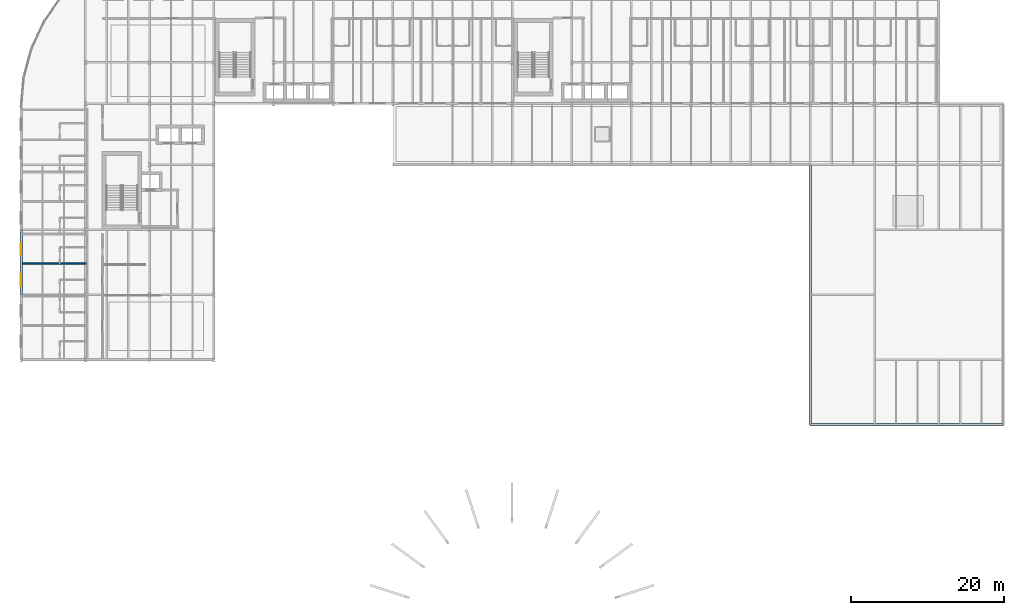
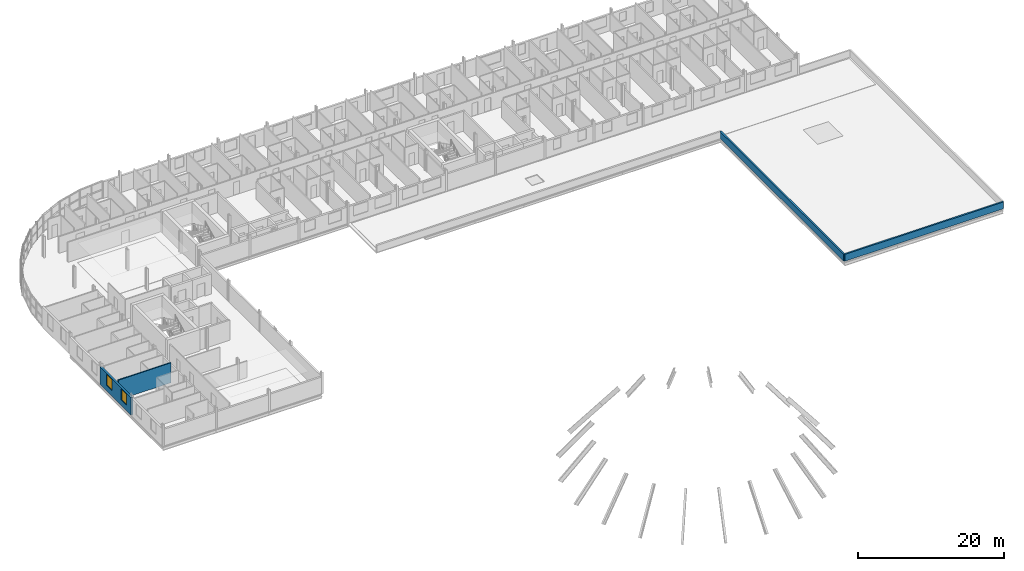
# One storey, part 20 of 36: 4 walls, 2 windows, 2 openings.
"""IFC4 building model written with IfcOpenShell, lengths in metres."""

from ifc_helpers import new_model, si_unit, direction, frame, frame_2d, origin, place, context, subcontext, project, spatial, rectangle, extrude, material, layer, layer_set, type_object, element, fill, save


model = new_model("IFC4")

# Units and contexts
model_context = context("Model", 3, precision=1e-05, world=origin(), true_north=direction((0.0, 1.0)))
body_context = subcontext(model_context, "Body", "Model", "MODEL_VIEW")
ifc_project = project(units=[si_unit("LENGTHUNIT", "METRE"), si_unit("AREAUNIT", "SQUARE_METRE"), si_unit("VOLUMEUNIT", "CUBIC_METRE"), si_unit("PLANEANGLEUNIT", "RADIAN"), si_unit("MASSUNIT", "GRAM", prefix="KILO")], contexts=[model_context])

# Site, building, storey
site_placement = place(None, origin())
site = spatial("IfcSite", under=ifc_project, at=site_placement, CompositionType="ELEMENT")
building_placement = place(site_placement, origin())
building = spatial("IfcBuilding", under=site, at=building_placement, Name="Sefraquen Railside Congress Hotel", CompositionType="ELEMENT")
storey_placement = place(building_placement, frame((0.0, 0.0, 24.60009765625)))
storey = spatial("IfcBuildingStorey", under=building, at=storey_placement, Name="L05", CompositionType="ELEMENT", Elevation=24.60009765625)

# Wall, openings, windows
ifc_material_1 = material(Name="Ochre Rabat calcarenite limestone and Concrete C40/50 backing", Category="masonry")
ifc_layer_1 = layer(ifc_material_1, 0.300048828125)
ifc_layer_set_1 = layer_set([ifc_layer_1], Name="Ochre Rabat calcarenite limestone and Concrete C40/50 backing")
wall_type_1 = type_object("IfcWallType", Name="TW-EW-300", PredefinedType="STANDARD", material=ifc_layer_set_1)
wall_1_placement = place(storey_placement, frame((0.0, 71.0, 0.0), z_axis=(0.0, 0.0, 1.0), x_axis=(0.0, 1.0, 0.0)))
wall_1 = element("IfcWall", 1, at=wall_1_placement, inside=storey, type_object=wall_type_1, Name="Hotel L05 West Forecourt facade wall", PredefinedType="STANDARD", context=body_context, shape_type="SweptSolid", body=[
    extrude(rectangle(XDim=8.5, YDim=0.300048828125, at=frame_2d((4.25, 0.0))), origin(), (0.0, 0.0, 1.0), 2.929931640625),
])
opening_1_placement = place(wall_1_placement, frame((1.20703125, 0.0, 0.89990234375)))
opening_1 = element("IfcOpeningElement", 2, at=opening_1_placement, cuts=wall_1, Name="Opening WN-13", PredefinedType="OPENING", context=body_context, shape_type="SweptSolid", body=[
    extrude(rectangle(XDim=1.5, YDim=1.85009765625, at=frame_2d((0.75, 0.925048828125))), frame((0.0, 0.159912109375, 0.0), z_axis=(0.0, -1.0, 0.0), x_axis=(1.0, 0.0, 0.0)), (0.0, 0.0, 1.0), 0.320068359375),
])
opening_2_placement = place(wall_1_placement, frame((5.256103515625, 0.0, 0.89990234375)))
opening_2 = element("IfcOpeningElement", 3, at=opening_2_placement, cuts=wall_1, Name="Opening WN-14", PredefinedType="OPENING", context=body_context, shape_type="SweptSolid", body=[
    extrude(rectangle(XDim=1.5, YDim=1.85009765625, at=frame_2d((0.75, 0.925048828125))), frame((0.0, 0.159912109375, 0.0), z_axis=(0.0, -1.0, 0.0), x_axis=(1.0, 0.0, 0.0)), (0.0, 0.0, 1.0), 0.320068359375),
])
ifc_material_2 = material(Name="Solar-control low-E double glazing in bronze-anodised frame", Category="glass")
window_type_1 = type_object("IfcWindowType", Name="TWN-W-13", PartitioningType="DOUBLE_PANEL_VERTICAL", PredefinedType="WINDOW", material=ifc_material_2)
window_1_placement = place(opening_1_placement, origin())
window_1 = element("IfcWindow", 4, at=window_1_placement, inside=storey, type_object=window_type_1, Name="Guest room west window SP-L05-RM-042", OverallHeight=1.85009765625, OverallWidth=1.5, PartitioningType="DOUBLE_PANEL_VERTICAL", PredefinedType="WINDOW", context=body_context, shape_type="SweptSolid", body=[
    extrude(rectangle(XDim=1.5, YDim=1.85009765625, at=frame_2d((0.75, 0.925048828125))), frame((0.0, 0.030029296875, 0.0), z_axis=(0.0, -1.0, 0.0), x_axis=(1.0, 0.0, 0.0)), (0.0, 0.0, 1.0), 0.06005859375),
])
fill(opening_1, window_1)
window_type_2 = type_object("IfcWindowType", Name="TWN-W-14", PartitioningType="DOUBLE_PANEL_VERTICAL", PredefinedType="WINDOW", material=ifc_material_2)
window_2_placement = place(opening_2_placement, origin())
window_2 = element("IfcWindow", 5, at=window_2_placement, inside=storey, type_object=window_type_2, Name="Guest room west window SP-L05-RM-043", OverallHeight=1.85009765625, OverallWidth=1.5, PartitioningType="DOUBLE_PANEL_VERTICAL", PredefinedType="WINDOW", context=body_context, shape_type="SweptSolid", body=[
    extrude(rectangle(XDim=1.5, YDim=1.85009765625, at=frame_2d((0.75, 0.925048828125))), frame((0.0, 0.030029296875, 0.0), z_axis=(0.0, -1.0, 0.0), x_axis=(1.0, 0.0, 0.0)), (0.0, 0.0, 1.0), 0.06005859375),
])
fill(opening_2, window_2)

# Walls
ifc_material_3 = material(Name="Precast concrete C40/50", Category="concrete")
ifc_layer_2 = layer(ifc_material_3, 0.25)
ifc_layer_set_2 = layer_set([ifc_layer_2], Name="Precast concrete C40/50")
wall_type_2 = type_object("IfcWallType", Name="TW-PA-250", PredefinedType="PARAPET", material=ifc_layer_set_2)
wall_2_placement = place(storey_placement, frame((103.199951171875, 88.0, 0.0), z_axis=(0.0, 0.0, 1.0), x_axis=(0.0, -1.0, 0.0)))
element("IfcWall", 6, at=wall_2_placement, inside=storey, type_object=wall_type_2, Name="Meeting Wing L05 roof parapet 02", PredefinedType="PARAPET", context=body_context, shape_type="SweptSolid", body=[
    extrude(rectangle(XDim=34.0, YDim=0.25, at=frame_2d((17.0, 0.0))), origin(), (0.0, 0.0, 1.0), 1.14990234375),
])
wall_3_placement = place(storey_placement, frame((103.199951171875, 54.0, 0.0), z_axis=(0.0, 0.0, 1.0), x_axis=(1.0, 0.0, 0.0)))
element("IfcWall", 7, at=wall_3_placement, inside=storey, type_object=wall_type_2, Name="Meeting Wing L05 roof parapet 03", PredefinedType="PARAPET", context=body_context, shape_type="SweptSolid", body=[
    extrude(rectangle(XDim=25.199951171875, YDim=0.25, at=frame_2d((12.60009765625, 0.0))), origin(), (0.0, 0.0, 1.0), 1.14990234375),
])
ifc_material_4 = material(Name="Acoustic gypsum board on metal stud", Category="gypsum")
ifc_layer_3 = layer(ifc_material_4, 0.179931640625)
ifc_layer_set_3 = layer_set([ifc_layer_3], Name="Acoustic gypsum board on metal stud")
wall_type_3 = type_object("IfcWallType", Name="TW-PW-180", PredefinedType="PARTITIONING", material=ifc_layer_set_3)
wall_4_placement = place(storey_placement, frame((0.14990234375, 75.075927734375, 0.0), z_axis=(0.0, 0.0, 1.0), x_axis=(1.0, 0.0, 0.0)))
element("IfcWall", 8, at=wall_4_placement, inside=storey, type_object=wall_type_3, Name="West return guest room demising wall RM-042", PredefinedType="PARTITIONING", context=body_context, shape_type="SweptSolid", body=[
    extrude(rectangle(XDim=8.3701171875, YDim=0.179931640625, at=frame_2d((4.18505859375, 0.0))), origin(), (0.0, 0.0, 1.0), 3.33984375),
])

save(model, "model.ifc")
